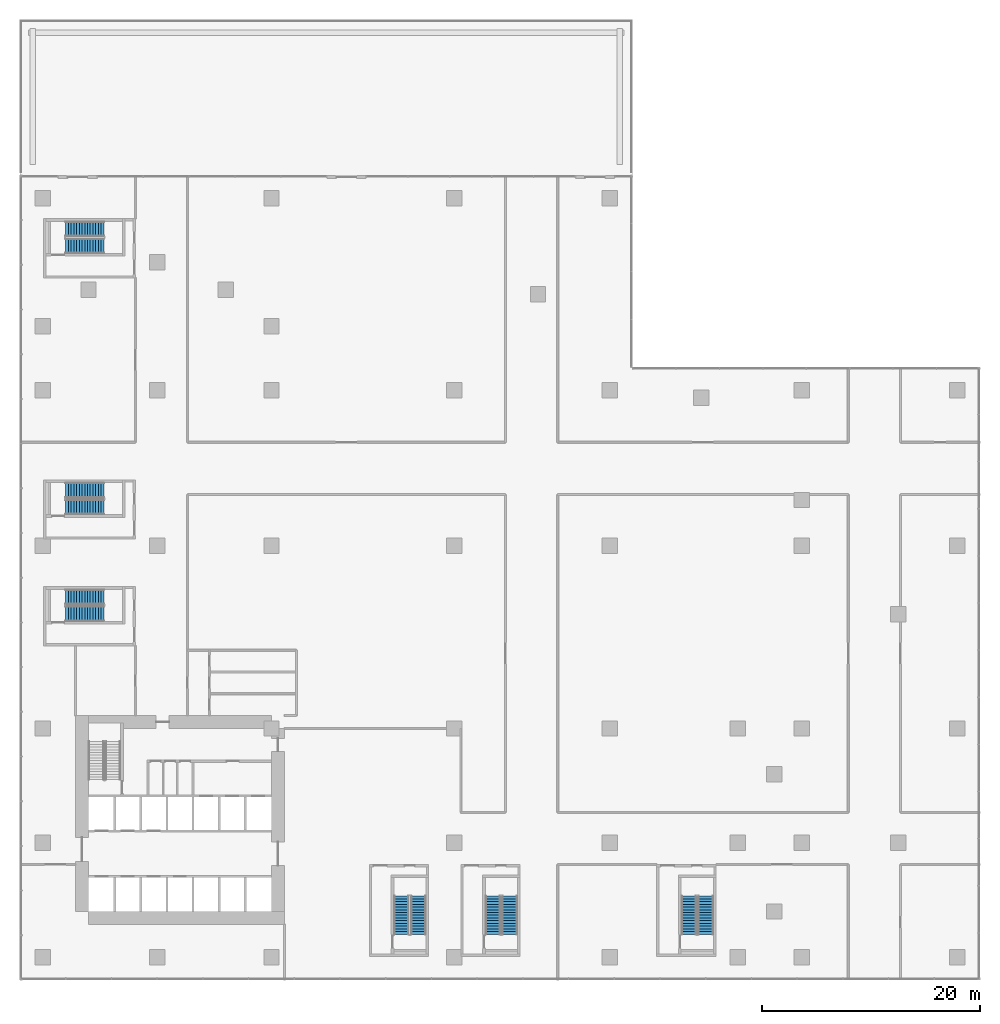
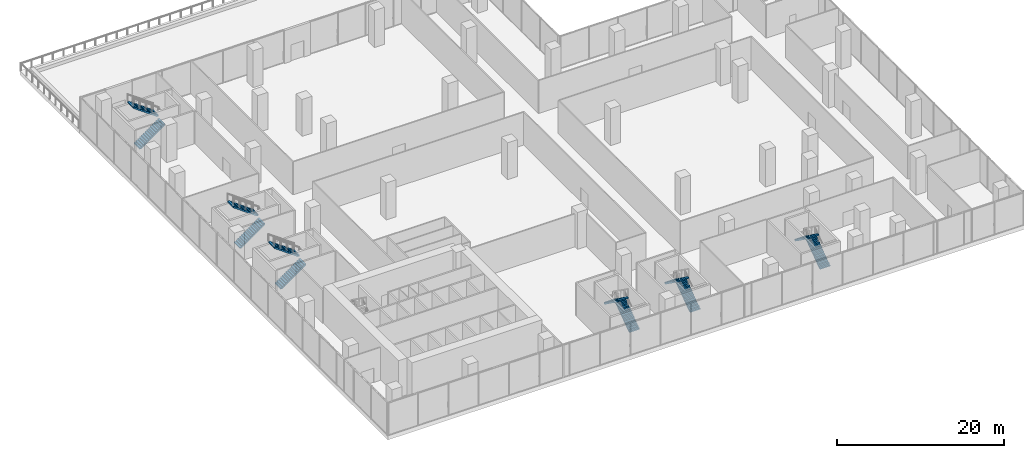
# One storey, part 19 of 24: 12 stair flights, 6 elements without a shape of their own.
"""IFC4 building model written with IfcOpenShell, lengths in metres."""

from ifc_helpers import new_model, si_unit, direction, frame, origin, place, context, subcontext, project, spatial, polyline, outline, extrude, source, transform, mapped, material, type_object, element, aggregate, save


model = new_model("IFC4")

# Units and contexts
model_context = context("Model", 3, precision=1e-05, world=origin(), true_north=direction((0.0, 1.0)))
body_context = subcontext(model_context, "Body", "Model", "MODEL_VIEW")
ifc_project = project(units=[si_unit("LENGTHUNIT", "METRE"), si_unit("AREAUNIT", "SQUARE_METRE"), si_unit("VOLUMEUNIT", "CUBIC_METRE"), si_unit("PLANEANGLEUNIT", "RADIAN"), si_unit("MASSUNIT", "GRAM", prefix="KILO")], contexts=[model_context])

# Site, building, storey
site_placement = place(None, origin())
site = spatial("IfcSite", under=ifc_project, at=site_placement, CompositionType="ELEMENT")
building_placement = place(site_placement, origin())
building = spatial("IfcBuilding", under=site, at=building_placement, Name="Aurelian Terraces", CompositionType="ELEMENT")
storey_placement = place(building_placement, frame((0.0, 0.0, 12.9)))
storey = spatial("IfcBuildingStorey", under=building, at=storey_placement, Name="L02", CompositionType="ELEMENT", Elevation=12.9)

# Stair, stair flights
ifc_material = material(Name="Concrete fc' 40 MPa", Category="concrete")
stair_type = type_object("IfcStairType", Name="Stair 1400", PredefinedType="HALF_TURN_STAIR", material=ifc_material)
stair_1_placement = place(storey_placement, origin())
stair_1 = element("IfcStair", 1, at=stair_1_placement, inside=storey, type_object=stair_type, Name="L02 S2", PredefinedType="HALF_TURN_STAIR")
stair_flight_type = type_object("IfcStairFlightType", Name="Stair flight 1400", PredefinedType="STRAIGHT", material=ifc_material)
shared_shape = source(origin(), body_context, "Body", "SweptSolid", [
    extrude(outline(polyline([(0.0, 0.0), (0.0, 0.18), (0.25, 0.18), (0.25, 0.36), (0.5, 0.36), (0.5, 0.54), (0.75, 0.54), (0.75, 0.72), (1.0, 0.72), (1.0, 0.9), (1.25, 0.9), (1.25, 1.08), (1.5, 1.08), (1.5, 1.26), (1.75, 1.26), (1.75, 1.44), (2.0, 1.44), (2.0, 1.62), (2.25, 1.62), (2.25, 1.8), (2.5, 1.8), (2.5, 1.98), (2.75, 1.98), (2.75, 2.16), (3.0, 2.16), (3.0, 2.34), (3.25, 2.34), (3.25, 2.52), (3.5, 2.52), (3.5, 2.7), (3.5, 2.3352), (0.2567, 0.0), (0.0, 0.0)])), frame((0.0, 0.7, 0.0), z_axis=(0.0, -1.0, 0.0), x_axis=(1.0, 0.0, 0.0)), (0.0, 0.0, 1.0), 1.4),
])
stair_flight_1_placement = place(storey_placement, frame((42.9, 2.1, 2e-08), z_axis=(0.0, 0.0, 1.0), x_axis=(0.0, 1.0, 0.0)))
stair_flight_1 = element("IfcStairFlight", 2, at=stair_flight_1_placement, type_object=stair_flight_type, Name="S2 flight 1", NumberOfRisers=15, NumberOfTreads=14, PredefinedType="STRAIGHT", RiserHeight=0.18, TreadLength=0.25, context=body_context, shape_type="MappedRepresentation", body=[
    mapped(shared_shape, transform((0.0, 0.0, 0.0), scale=1.0)),
])
stair_flight_2_placement = place(storey_placement, frame((41.35, 5.6, 2.700000019999999), z_axis=(0.0, 0.0, 1.0), x_axis=(0.0, -1.0, 0.0)))
stair_flight_2 = element("IfcStairFlight", 3, at=stair_flight_2_placement, type_object=stair_flight_type, Name="S2 flight 2", NumberOfRisers=15, NumberOfTreads=14, PredefinedType="STRAIGHT", RiserHeight=0.18, TreadLength=0.25, context=body_context, shape_type="MappedRepresentation", body=[
    mapped(shared_shape, transform((0.0, 0.0, 0.0), scale=1.0)),
])
aggregate(stair_1, [stair_flight_1, stair_flight_2])

stair_2_placement = place(storey_placement, origin())
stair_2 = element("IfcStair", 4, at=stair_2_placement, inside=storey, type_object=stair_type, Name="L02 S3", PredefinedType="HALF_TURN_STAIR")
stair_flight_3_placement = place(storey_placement, frame((2.1, 41.35, 2e-08), z_axis=(0.0, 0.0, 1.0), x_axis=(1.0, 0.0, 0.0)))
stair_flight_3 = element("IfcStairFlight", 5, at=stair_flight_3_placement, type_object=stair_flight_type, Name="S3 flight 1", NumberOfRisers=15, NumberOfTreads=14, PredefinedType="STRAIGHT", RiserHeight=0.18, TreadLength=0.25, context=body_context, shape_type="MappedRepresentation", body=[
    mapped(shared_shape, transform((0.0, 0.0, 0.0), scale=1.0)),
])
stair_flight_4_placement = place(storey_placement, frame((5.6, 42.9, 2.700000019999999), z_axis=(0.0, 0.0, 1.0), x_axis=(-1.0, 0.0, 0.0)))
stair_flight_4 = element("IfcStairFlight", 6, at=stair_flight_4_placement, type_object=stair_flight_type, Name="S3 flight 2", NumberOfRisers=15, NumberOfTreads=14, PredefinedType="STRAIGHT", RiserHeight=0.18, TreadLength=0.25, context=body_context, shape_type="MappedRepresentation", body=[
    mapped(shared_shape, transform((0.0, 0.0, 0.0), scale=1.0)),
])
aggregate(stair_2, [stair_flight_3, stair_flight_4])

stair_3_placement = place(storey_placement, origin())
stair_3 = element("IfcStair", 7, at=stair_3_placement, inside=storey, type_object=stair_type, Name="L02 S4", PredefinedType="HALF_TURN_STAIR")
stair_flight_5_placement = place(storey_placement, frame((2.1, 31.55, 2e-08), z_axis=(0.0, 0.0, 1.0), x_axis=(1.0, 0.0, 0.0)))
stair_flight_5 = element("IfcStairFlight", 8, at=stair_flight_5_placement, type_object=stair_flight_type, Name="S4 flight 1", NumberOfRisers=15, NumberOfTreads=14, PredefinedType="STRAIGHT", RiserHeight=0.18, TreadLength=0.25, context=body_context, shape_type="MappedRepresentation", body=[
    mapped(shared_shape, transform((0.0, 0.0, 0.0), scale=1.0)),
])
stair_flight_6_placement = place(storey_placement, frame((5.6, 33.1, 2.700000019999999), z_axis=(0.0, 0.0, 1.0), x_axis=(-1.0, 0.0, 0.0)))
stair_flight_6 = element("IfcStairFlight", 9, at=stair_flight_6_placement, type_object=stair_flight_type, Name="S4 flight 2", NumberOfRisers=15, NumberOfTreads=14, PredefinedType="STRAIGHT", RiserHeight=0.18, TreadLength=0.25, context=body_context, shape_type="MappedRepresentation", body=[
    mapped(shared_shape, transform((0.0, 0.0, 0.0), scale=1.0)),
])
aggregate(stair_3, [stair_flight_5, stair_flight_6])

stair_4_placement = place(storey_placement, origin())
stair_4 = element("IfcStair", 10, at=stair_4_placement, inside=storey, type_object=stair_type, Name="L02 S5", PredefinedType="HALF_TURN_STAIR")
stair_flight_7_placement = place(storey_placement, frame((2.1, 65.35, 2e-08), z_axis=(0.0, 0.0, 1.0), x_axis=(1.0, 0.0, 0.0)))
stair_flight_7 = element("IfcStairFlight", 11, at=stair_flight_7_placement, type_object=stair_flight_type, Name="S5 flight 1", NumberOfRisers=15, NumberOfTreads=14, PredefinedType="STRAIGHT", RiserHeight=0.18, TreadLength=0.25, context=body_context, shape_type="MappedRepresentation", body=[
    mapped(shared_shape, transform((0.0, 0.0, 0.0), scale=1.0)),
])
stair_flight_8_placement = place(storey_placement, frame((5.6, 66.9, 2.700000019999999), z_axis=(0.0, 0.0, 1.0), x_axis=(-1.0, 0.0, 0.0)))
stair_flight_8 = element("IfcStairFlight", 12, at=stair_flight_8_placement, type_object=stair_flight_type, Name="S5 flight 2", NumberOfRisers=15, NumberOfTreads=14, PredefinedType="STRAIGHT", RiserHeight=0.18, TreadLength=0.25, context=body_context, shape_type="MappedRepresentation", body=[
    mapped(shared_shape, transform((0.0, 0.0, 0.0), scale=1.0)),
])
aggregate(stair_4, [stair_flight_7, stair_flight_8])

stair_5_placement = place(storey_placement, origin())
stair_5 = element("IfcStair", 13, at=stair_5_placement, inside=storey, type_object=stair_type, Name="L02 S6", PredefinedType="HALF_TURN_STAIR")
stair_flight_9_placement = place(storey_placement, frame((60.9, 2.1, 2e-08), z_axis=(0.0, 0.0, 1.0), x_axis=(0.0, 1.0, 0.0)))
stair_flight_9 = element("IfcStairFlight", 14, at=stair_flight_9_placement, type_object=stair_flight_type, Name="S6 flight 1", NumberOfRisers=15, NumberOfTreads=14, PredefinedType="STRAIGHT", RiserHeight=0.18, TreadLength=0.25, context=body_context, shape_type="MappedRepresentation", body=[
    mapped(shared_shape, transform((0.0, 0.0, 0.0), scale=1.0)),
])
stair_flight_10_placement = place(storey_placement, frame((59.35, 5.6, 2.700000019999999), z_axis=(0.0, 0.0, 1.0), x_axis=(0.0, -1.0, 0.0)))
stair_flight_10 = element("IfcStairFlight", 15, at=stair_flight_10_placement, type_object=stair_flight_type, Name="S6 flight 2", NumberOfRisers=15, NumberOfTreads=14, PredefinedType="STRAIGHT", RiserHeight=0.18, TreadLength=0.25, context=body_context, shape_type="MappedRepresentation", body=[
    mapped(shared_shape, transform((0.0, 0.0, 0.0), scale=1.0)),
])
aggregate(stair_5, [stair_flight_9, stair_flight_10])

stair_6_placement = place(storey_placement, origin())
stair_6 = element("IfcStair", 16, at=stair_6_placement, inside=storey, type_object=stair_type, Name="L02 S7", PredefinedType="HALF_TURN_STAIR")
stair_flight_11_placement = place(storey_placement, frame((34.5, 2.1, 2e-08), z_axis=(0.0, 0.0, 1.0), x_axis=(0.0, 1.0, 0.0)))
stair_flight_11 = element("IfcStairFlight", 17, at=stair_flight_11_placement, type_object=stair_flight_type, Name="S7 flight 1", NumberOfRisers=15, NumberOfTreads=14, PredefinedType="STRAIGHT", RiserHeight=0.18, TreadLength=0.25, context=body_context, shape_type="MappedRepresentation", body=[
    mapped(shared_shape, transform((0.0, 0.0, 0.0), scale=1.0)),
])
stair_flight_12_placement = place(storey_placement, frame((32.95, 5.6, 2.700000019999999), z_axis=(0.0, 0.0, 1.0), x_axis=(0.0, -1.0, 0.0)))
stair_flight_12 = element("IfcStairFlight", 18, at=stair_flight_12_placement, type_object=stair_flight_type, Name="S7 flight 2", NumberOfRisers=15, NumberOfTreads=14, PredefinedType="STRAIGHT", RiserHeight=0.18, TreadLength=0.25, context=body_context, shape_type="MappedRepresentation", body=[
    mapped(shared_shape, transform((0.0, 0.0, 0.0), scale=1.0)),
])
aggregate(stair_6, [stair_flight_11, stair_flight_12])

save(model, "model.ifc")
